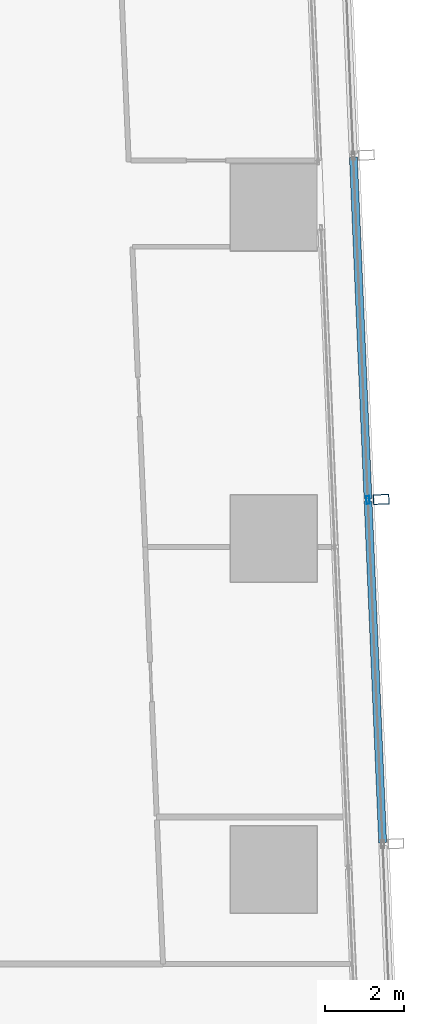
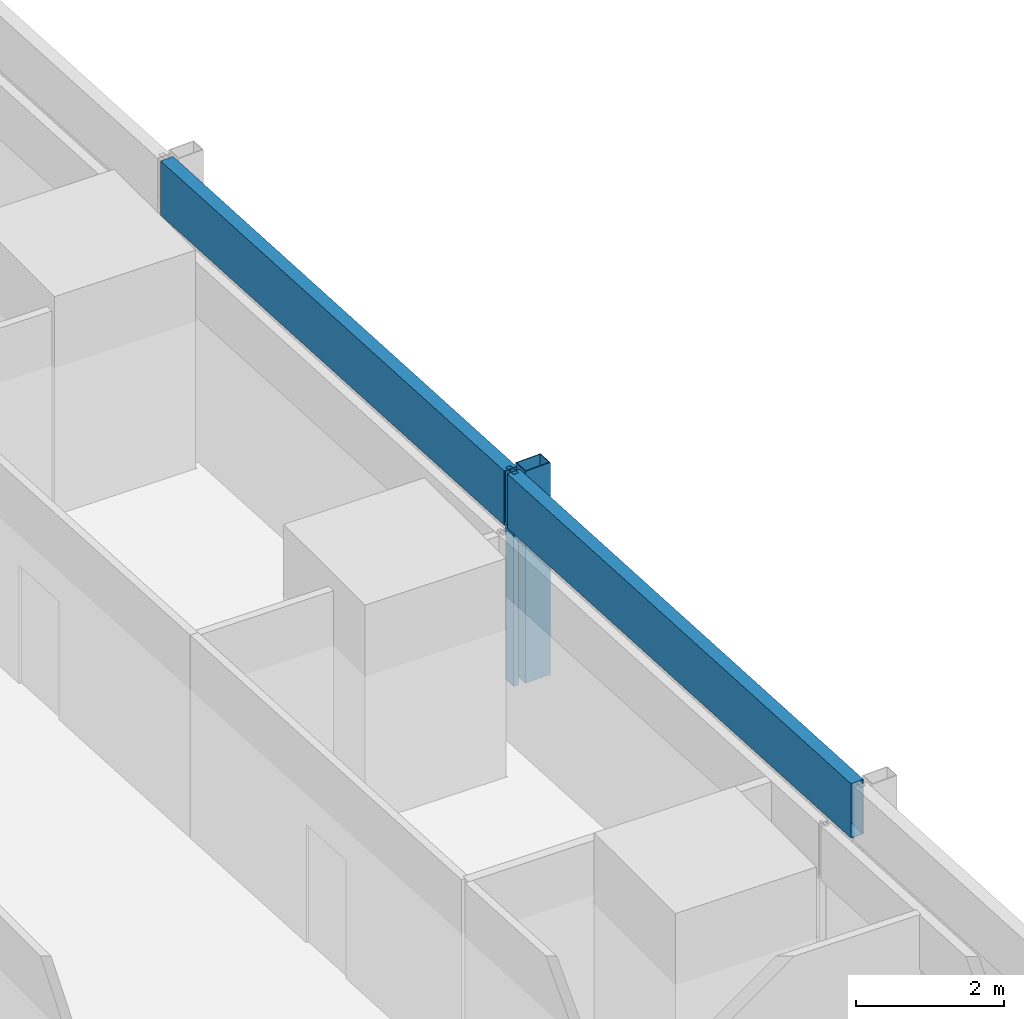
# One storey, part 26 of 42: 4 members, 1 element without a shape of its own.
"""IFC4 building model written with IfcOpenShell, lengths in metres."""

from ifc_helpers import new_model, si_unit, direction, frame, origin, origin_2d, place, context, subcontext, project, spatial, hollow_rectangle, extrude, material, material_profile, profile_set, type_object, element, aggregate, save


model = new_model("IFC4")

# Units and contexts
model_context = context("Model", 3, precision=1e-05, world=origin(), true_north=direction((0.0, 1.0)))
body_context = subcontext(model_context, "Body", "Model", "MODEL_VIEW")
ifc_project = project(units=[si_unit("LENGTHUNIT", "METRE"), si_unit("AREAUNIT", "SQUARE_METRE"), si_unit("VOLUMEUNIT", "CUBIC_METRE"), si_unit("PLANEANGLEUNIT", "RADIAN"), si_unit("MASSUNIT", "GRAM", prefix="KILO")], contexts=[model_context])

# Site, building, storey
site_placement = place(None, origin())
site = spatial("IfcSite", under=ifc_project, at=site_placement, CompositionType="ELEMENT")
building_placement = place(site_placement, origin())
building = spatial("IfcBuilding", under=site, at=building_placement, Name="Rekha Terrace Tower", CompositionType="ELEMENT")
storey_placement = place(building_placement, frame((0.0, 0.0, 55.39990234375)))
storey = spatial("IfcBuildingStorey", under=building, at=storey_placement, Name="L13", CompositionType="ELEMENT", Elevation=55.39990234375)

# Curtain wall, members
ifc_material_1 = material(Name="Aluminium framing", Category="aluminium")
curtain_wall_type = type_object("IfcCurtainWallType", Name="CW2 double skin outer glazing", PredefinedType="USERDEFINED", material=ifc_material_1)
curtain_wall_placement = place(storey_placement, origin())
curtain_wall = element("IfcCurtainWall", 1, at=curtain_wall_placement, inside=storey, type_object=curtain_wall_type, Name="CW2 double skin outer glazing", ObjectType="DOUBLE SKIN OUTER GLAZING", PredefinedType="USERDEFINED")
ifc_material_2 = material(Name="Steel S355 with fluorocarbon finish", Category="steel")
ifc_material_profile_1 = material_profile(ifc_material_2, hollow_rectangle(XDim=0.25, YDim=0.39990234375, WallThickness=0.012451171875, at=origin_2d()), Name="RHS400x250x12.5")
ifc_profile_set_1 = profile_set([ifc_material_profile_1], Name="Steel S355 with fluorocarbon finish")
member_type_1 = type_object("IfcMemberType", Name="BL1 facade blade RHS 400 x 250", PredefinedType="USERDEFINED", material=ifc_profile_set_1)
member_1_placement = place(storey_placement, frame((69.927734375, 42.989013671875, 0.0), z_axis=(0.0, 0.0, 1.0), x_axis=(-0.04269522475, 0.99908814315, 0.0)))
member_1 = element("IfcMember", 2, at=member_1_placement, type_object=member_type_1, Name="Facade blade", ObjectType="FACADE BLADE", PredefinedType="USERDEFINED", context=body_context, shape_type="SweptSolid", body=[
    extrude(hollow_rectangle(XDim=0.25, YDim=0.39990234375, WallThickness=0.012451171875, at=origin_2d()), origin(), (0.0, 0.0, 1.0), 3.5),
])
ifc_material_3 = material(Name="Aluminium mullion section", Category="aluminium")
ifc_material_profile_2 = material_profile(ifc_material_3, hollow_rectangle(XDim=0.080078125, YDim=0.199951171875, WallThickness=0.00390625, at=origin_2d()), Name="AL RHS 80x200")
ifc_profile_set_2 = profile_set([ifc_material_profile_2], Name="Aluminium mullion section")
member_type_2 = type_object("IfcMemberType", Name="CW2 mullion RHS 80 x 200", PredefinedType="MULLION", material=ifc_profile_set_2)
member_2_placement = place(storey_placement, frame((69.593017578125, 42.974609375, 0.0), z_axis=(0.0, 0.0, 1.0), x_axis=(-0.999088106903, -0.042696072956, 0.0)))
member_2 = element("IfcMember", 3, at=member_2_placement, type_object=member_type_2, Name="CW2 mullion 3", PredefinedType="MULLION", context=body_context, shape_type="SweptSolid", body=[
    extrude(hollow_rectangle(XDim=0.080078125, YDim=0.199951171875, WallThickness=0.00390625, at=origin_2d()), origin(), (0.0, 0.0, 1.0), 3.5),
])
ifc_material_4 = material(Name="Insulated aluminium spandrel box", Category="aluminium")
ifc_material_profile_3 = material_profile(ifc_material_4, hollow_rectangle(XDim=0.199951171875, YDim=0.89990234375, WallThickness=0.0029296875, at=origin_2d()), Name="AL SPANDREL BOX 200x900")
ifc_profile_set_3 = profile_set([ifc_material_profile_3], Name="Insulated aluminium spandrel box")
member_type_3 = type_object("IfcMemberType", Name="CW2 spandrel transom 200 x 900", PredefinedType="USERDEFINED", material=ifc_profile_set_3)
member_3_placement = place(storey_placement, frame((69.964599609375, 34.27880859375, 3.050048828125), z_axis=(-0.042692466729, 0.999088261008, 0.0), x_axis=(-0.999088261008, -0.042692466729, 0.0)))
member_3 = element("IfcMember", 4, at=member_3_placement, type_object=member_type_3, Name="CW2 spandrel transom 2", ObjectType="TRANSOM", PredefinedType="USERDEFINED", context=body_context, shape_type="SweptSolid", body=[
    extrude(hollow_rectangle(XDim=0.199951171875, YDim=0.89990234375, WallThickness=0.0029296875, at=origin_2d()), origin(), (0.0, 0.0, 1.0), 8.66357421875),
])
member_4_placement = place(storey_placement, frame((69.59130859375, 43.014404296875, 3.050048828125), z_axis=(-0.042691264793, 0.999088312368, 0.0), x_axis=(-0.999088312368, -0.042691264793, 0.0)))
member_4 = element("IfcMember", 5, at=member_4_placement, type_object=member_type_3, Name="CW2 spandrel transom 3", ObjectType="TRANSOM", PredefinedType="USERDEFINED", context=body_context, shape_type="SweptSolid", body=[
    extrude(hollow_rectangle(XDim=0.199951171875, YDim=0.89990234375, WallThickness=0.0029296875, at=origin_2d()), origin(), (0.0, 0.0, 1.0), 8.663818359375),
])
aggregate(curtain_wall, [member_2, member_3, member_4, member_1])

save(model, "model.ifc")
